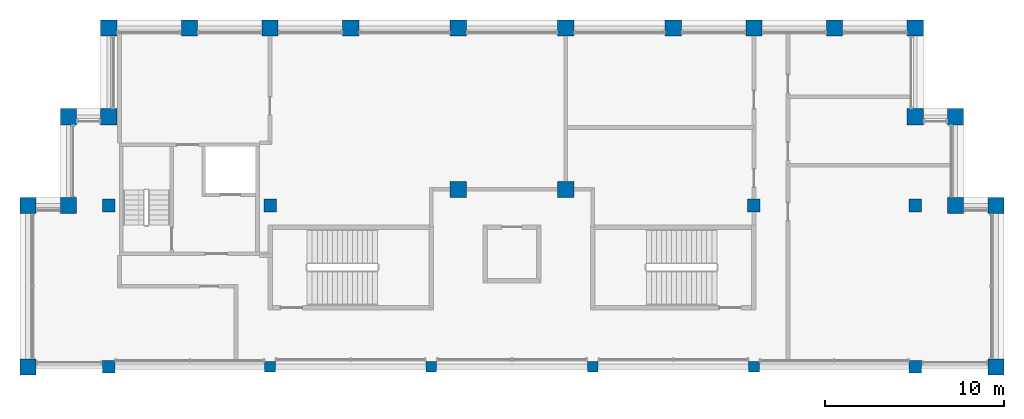
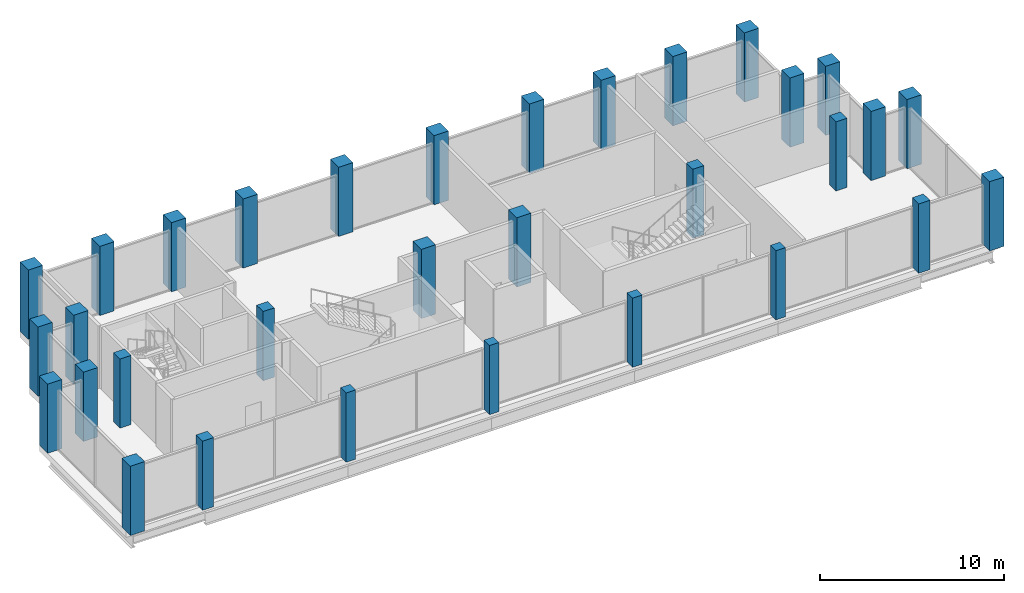
# One storey, part 1 of 8: 32 columns.
"""IFC4 building model written with IfcOpenShell, lengths in metres."""

from ifc_helpers import new_model, si_unit, direction, frame, origin, origin_2d, place, context, subcontext, project, spatial, rectangle, extrude, material, material_profile, profile_set, type_object, element, save


model = new_model("IFC4")

# Units and contexts
model_context = context("Model", 3, precision=1e-05, world=origin(), true_north=direction((0.0, 1.0)))
body_context = subcontext(model_context, "Body", "Model", "MODEL_VIEW")
ifc_project = project(units=[si_unit("LENGTHUNIT", "METRE"), si_unit("AREAUNIT", "SQUARE_METRE"), si_unit("VOLUMEUNIT", "CUBIC_METRE"), si_unit("PLANEANGLEUNIT", "RADIAN"), si_unit("MASSUNIT", "GRAM", prefix="KILO")], contexts=[model_context])

# Site, building, storey
site_placement = place(None, origin())
site = spatial("IfcSite", under=ifc_project, at=site_placement, CompositionType="ELEMENT")
building_placement = place(site_placement, origin())
building = spatial("IfcBuilding", under=site, at=building_placement, Name="Corbelhall Arena Tower", CompositionType="ELEMENT")
storey_placement = place(building_placement, frame((0.0, 0.0, 381.0)))
storey = spatial("IfcBuildingStorey", under=building, at=storey_placement, Name="L82", CompositionType="ELEMENT", Elevation=381.0)

# Columns
ifc_material = material(Name="Concrete C80/95", Category="concrete")
ifc_material_profile_1 = material_profile(ifc_material, rectangle(XDim=0.60009765625, YDim=0.60009765625, at=origin_2d()))
ifc_profile_set_1 = profile_set([ifc_material_profile_1], Name="Concrete C80/95")
column_type_1 = type_object("IfcColumnType", Name="ST-COL-RC 600x600", PredefinedType="COLUMN", material=ifc_profile_set_1)
for number, where, z_axis, x_axis, name in (
    (1, (4.5, 9.0, 0.0), (0.0, 0.0, 1.0), (1.0, 0.0, 0.0), "Column KE+0450+0900"),
    (2, (13.5, 9.0, 0.0), (0.0, 0.0, 1.0), (1.0, 0.0, 0.0), "Column KE+1350+0900"),
    (3, (-4.5, 9.0, 0.0), (0.0, 0.0, 1.0), (1.0, 0.0, 0.0), "Column KW-0450+0900"),
    (4, (-13.5, 9.0, 0.0), (0.0, 0.0, 1.0), (1.0, 0.0, 0.0), "Column KW-1350+0900"),
):
    element("IfcColumn", number, at=place(storey_placement, frame(where, z_axis=z_axis, x_axis=x_axis)), inside=storey, type_object=column_type_1, Name=name, PredefinedType="COLUMN", context=body_context, shape_type="SweptSolid", body=[
        extrude(rectangle(XDim=0.60009765625, YDim=0.60009765625, at=origin_2d()), origin(), (0.0, 0.0, 1.0), 4.599609375),
    ])
ifc_material_profile_2 = material_profile(ifc_material, rectangle(XDim=0.699951171875, YDim=0.699951171875, at=origin_2d()))
ifc_profile_set_2 = profile_set([ifc_material_profile_2], Name="Concrete C80/95")
column_type_2 = type_object("IfcColumnType", Name="ST-COL-RC 700x700", PredefinedType="COLUMN", material=ifc_profile_set_2)
for number, where, z_axis, x_axis, name in (
    (5, (13.5, 18.0, 0.0), (0.0, 0.0, 1.0), (1.0, 0.0, 0.0), "Column IE13+1800"),
    (6, (22.5, 9.0, 0.0), (0.0, 0.0, 1.0), (1.0, 0.0, 0.0), "Column IE22+0900"),
    (7, (22.5, 18.0, 0.0), (0.0, 0.0, 1.0), (1.0, 0.0, 0.0), "Column IE22+1800"),
    (8, (-13.5, 18.0, 0.0), (0.0, 0.0, 1.0), (1.0, 0.0, 0.0), "Column IW13+1800"),
    (9, (-22.5, 9.0, 0.0), (0.0, 0.0, 1.0), (1.0, 0.0, 0.0), "Column IW22+0900"),
    (10, (-22.5, 18.0, 0.0), (0.0, 0.0, 1.0), (1.0, 0.0, 0.0), "Column IW22+1800"),
):
    element("IfcColumn", number, at=place(storey_placement, frame(where, z_axis=z_axis, x_axis=x_axis)), inside=storey, type_object=column_type_2, Name=name, PredefinedType="COLUMN", context=body_context, shape_type="SweptSolid", body=[
        extrude(rectangle(XDim=0.699951171875, YDim=0.699951171875, at=origin_2d()), origin(), (0.0, 0.0, 1.0), 4.599609375),
    ])
ifc_material_profile_3 = material_profile(ifc_material, rectangle(XDim=0.89990234375, YDim=0.89990234375, at=origin_2d()))
ifc_profile_set_3 = profile_set([ifc_material_profile_3], Name="Concrete C80/95")
column_type_3 = type_object("IfcColumnType", Name="ST-COL-RC 900x900", PredefinedType="COLUMN", material=ifc_profile_set_3)
for number, where, z_axis, x_axis, name in (
    (11, (27.0, 9.0, 0.0), (0.0, 0.0, 1.0), (0.0, 1.0, 0.0), "Column PE+0900"),
    (12, (27.0, 18.0, 0.0), (0.0, 0.0, 1.0), (0.0, 1.0, 0.0), "Column PE+1800"),
    (13, (3.0, 27.89990234375, 0.0), (0.0, 0.0, 1.0), (1.0, 0.0, 0.0), "Column PNE0300"),
    (14, (9.0, 27.89990234375, 0.0), (0.0, 0.0, 1.0), (1.0, 0.0, 0.0), "Column PNE0900"),
    (15, (13.5, 27.89990234375, 0.0), (0.0, 0.0, 1.0), (1.0, 0.0, 0.0), "Column PNE1350"),
    (16, (18.0, 27.89990234375, 0.0), (0.0, 0.0, 1.0), (1.0, 0.0, 0.0), "Column PNE1800"),
    (17, (22.5, 27.89990234375, 0.0), (0.0, 0.0, 1.0), (1.0, 0.0, 0.0), "Column PNE2250"),
    (18, (-3.0, 27.89990234375, 0.0), (0.0, 0.0, 1.0), (1.0, 0.0, 0.0), "Column PNW0300"),
    (19, (-9.0, 27.89990234375, 0.0), (0.0, 0.0, 1.0), (1.0, 0.0, 0.0), "Column PNW0900"),
    (20, (-13.5, 27.89990234375, 0.0), (0.0, 0.0, 1.0), (1.0, 0.0, 0.0), "Column PNW1350"),
    (21, (-18.0, 27.89990234375, 0.0), (0.0, 0.0, 1.0), (1.0, 0.0, 0.0), "Column PNW1800"),
    (22, (-22.5, 27.89990234375, 0.0), (0.0, 0.0, 1.0), (1.0, 0.0, 0.0), "Column PNW2250"),
    (23, (-27.0, 9.0, 0.0), (0.0, 0.0, 1.0), (0.0, 1.0, 0.0), "Column PW+0900"),
    (24, (-27.0, 18.0, 0.0), (0.0, 0.0, 1.0), (0.0, 1.0, 0.0), "Column PW+1800"),
    (25, (3.0, 18.89990234375, 0.0), (0.0, 0.0, 1.0), (1.0, 0.0, 0.0), "Column SLNE2"),
    (26, (-3.0, 18.89990234375, 0.0), (0.0, 0.0, 1.0), (1.0, 0.0, 0.0), "Column SLNW2"),
    (27, (22.5, 22.949951171875, 0.0), (0.0, 0.0, 1.0), (1.0, 0.0, 0.0), "Column XNE1"),
    (28, (24.75, 22.949951171875, 0.0), (0.0, 0.0, 1.0), (1.0, 0.0, 0.0), "Column XNE2"),
    (29, (24.75, 18.0, 0.0), (0.0, 0.0, 1.0), (1.0, 0.0, 0.0), "Column XNE3"),
    (30, (-22.5, 22.949951171875, 0.0), (0.0, 0.0, 1.0), (1.0, 0.0, 0.0), "Column XNW1"),
    (31, (-24.75, 22.949951171875, 0.0), (0.0, 0.0, 1.0), (1.0, 0.0, 0.0), "Column XNW2"),
    (32, (-24.75, 18.0, 0.0), (0.0, 0.0, 1.0), (1.0, 0.0, 0.0), "Column XNW3"),
):
    element("IfcColumn", number, at=place(storey_placement, frame(where, z_axis=z_axis, x_axis=x_axis)), inside=storey, type_object=column_type_3, Name=name, PredefinedType="COLUMN", context=body_context, shape_type="SweptSolid", body=[
        extrude(rectangle(XDim=0.89990234375, YDim=0.89990234375, at=origin_2d()), origin(), (0.0, 0.0, 1.0), 4.599609375),
    ])

save(model, "model.ifc")
